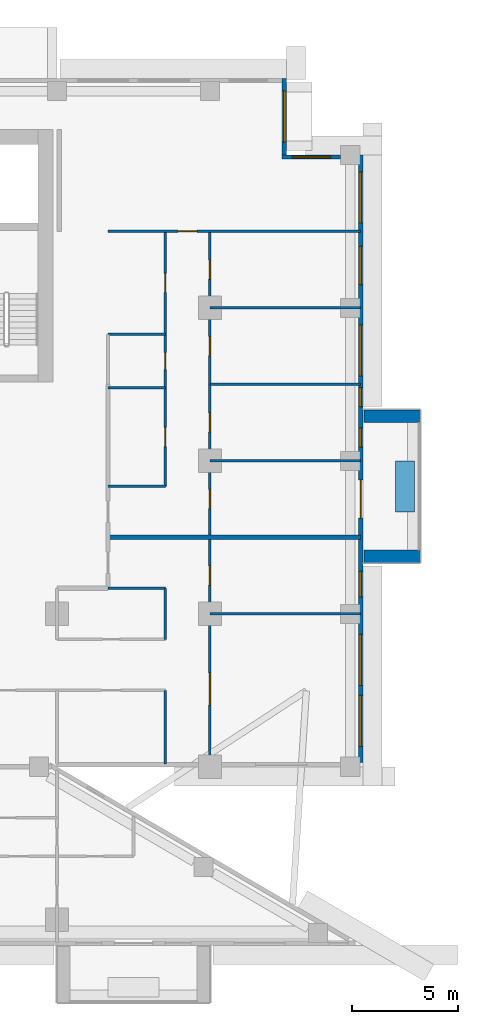
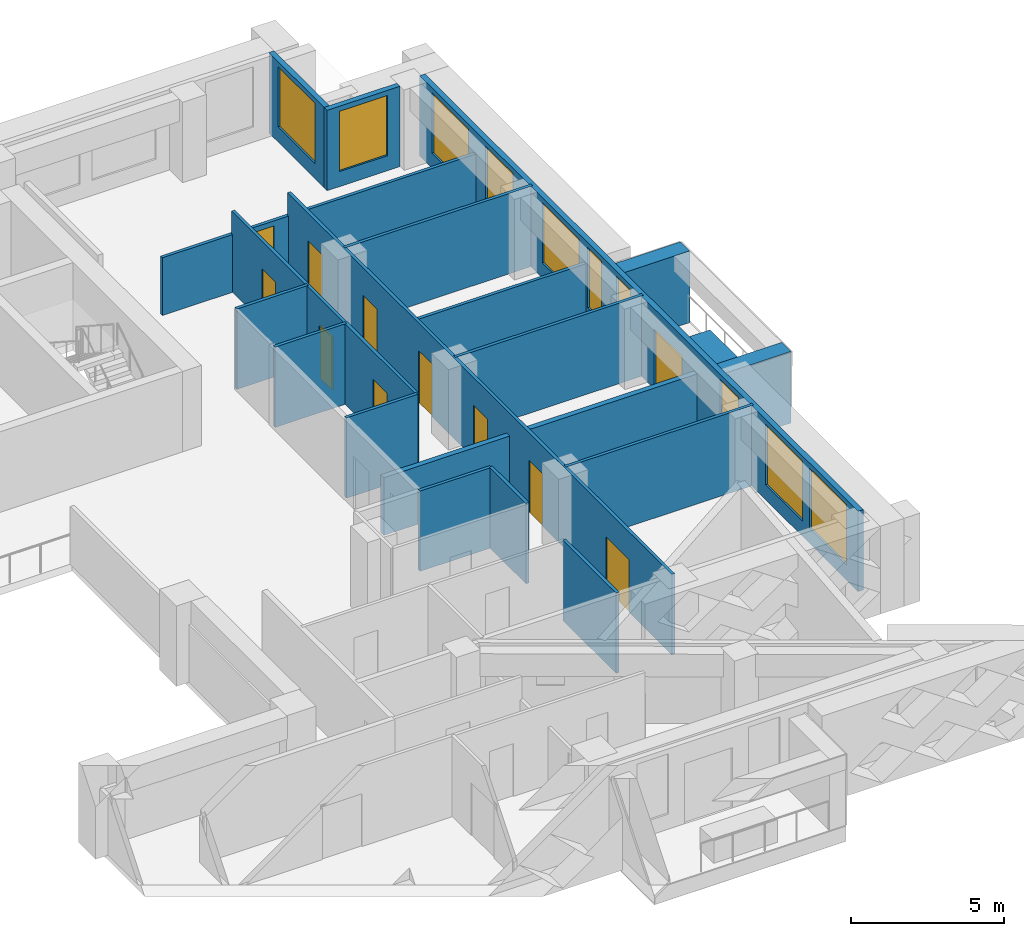
# One storey, part 12 of 20: 20 walls, 11 doors, 10 windows, 21 openings.
"""IFC4 building model written with IfcOpenShell, lengths in metres."""

from ifc_helpers import new_model, si_unit, direction, frame, frame_2d, origin, place, context, subcontext, project, spatial, rectangle, extrude, material, layer, layer_set, type_object, element, fill, save


model = new_model("IFC4")

# Units and contexts
model_context = context("Model", 3, precision=1e-05, world=origin(), true_north=direction((0.0, 1.0)))
body_context = subcontext(model_context, "Body", "Model", "MODEL_VIEW")
ifc_project = project(units=[si_unit("LENGTHUNIT", "METRE"), si_unit("AREAUNIT", "SQUARE_METRE"), si_unit("VOLUMEUNIT", "CUBIC_METRE"), si_unit("PLANEANGLEUNIT", "RADIAN"), si_unit("MASSUNIT", "GRAM", prefix="KILO")], contexts=[model_context])

# Site, building, storey
site_placement = place(None, origin())
site = spatial("IfcSite", under=ifc_project, at=site_placement, CompositionType="ELEMENT")
building_placement = place(site_placement, origin())
building = spatial("IfcBuilding", under=site, at=building_placement, Name="Saffron Iwan Residences", CompositionType="ELEMENT")
storey_placement = place(building_placement, frame((0.0, 0.0, 127.0)))
storey = spatial("IfcBuildingStorey", under=building, at=storey_placement, Name="L33", CompositionType="ELEMENT", Elevation=127.0)

# Walls
ifc_material_1 = material(Name="Concrete C50/60 white painted", Category="concrete")
ifc_layer_1 = layer(ifc_material_1, 0.60009765625)
ifc_layer_set_1 = layer_set([ifc_layer_1], Name="Concrete C50/60 white painted")
wall_type_1 = type_object("IfcWallType", Name="BALCONY FIN 600", PredefinedType="SOLIDWALL", material=ifc_layer_set_1)
for number, where, z_axis, x_axis, name in (
    (1, (86.449951171875, 57.89990234375, 0.0), (0.0, 0.0, 1.0), (1.0, 0.0, 0.0), "Balcony fin L33 F2-0a"),
    (2, (86.449951171875, 64.5, 0.0), (0.0, 0.0, 1.0), (1.0, 0.0, 0.0), "Balcony fin L33 F2-0b"),
):
    element("IfcWall", number, at=place(storey_placement, frame(where, z_axis=z_axis, x_axis=x_axis)), inside=storey, type_object=wall_type_1, Name=name, PredefinedType="SOLIDWALL", context=body_context, shape_type="SweptSolid", body=[
        extrude(rectangle(XDim=2.650146484375, YDim=0.60009765625, at=frame_2d((1.3251953125, 0.0))), origin(), (0.0, 0.0, 1.0), 2.85009765625),
    ])
ifc_material_2 = material(Name="Concrete C35/45 white painted", Category="concrete")
ifc_layer_2 = layer(ifc_material_2, 0.14990234375)
ifc_layer_set_2 = layer_set([ifc_layer_2], Name="Concrete C35/45 white painted")
wall_type_2 = type_object("IfcWallType", Name="BALCONY PLANTER", PredefinedType="SOLIDWALL", material=ifc_layer_set_2)
wall_1_placement = place(storey_placement, frame((88.375, 60.0, 0.0), z_axis=(0.0, 0.0, 1.0), x_axis=(0.0, 1.0, 0.0)))
element("IfcWall", 3, at=wall_1_placement, inside=storey, type_object=wall_type_2, Name="PLANTER L33 F2-0", PredefinedType="SOLIDWALL", context=body_context, shape_type="SweptSolid", body=[
    extrude(rectangle(XDim=2.39990234375, YDim=0.89990234375, at=frame_2d((1.199951171875, 0.0))), origin(), (0.0, 0.0, 1.0), 0.89990234375),
])

# Wall, openings, door, windows
ifc_material_3 = material(Name="Concrete C40/50", Category="concrete")
ifc_layer_3 = layer(ifc_material_3, 0.199951171875)
ifc_layer_set_3 = layer_set([ifc_layer_3], Name="Concrete C40/50")
wall_type_3 = type_object("IfcWallType", Name="EXTERNAL WALL 200", PredefinedType="SOLIDWALL", material=ifc_layer_set_3)
wall_2_placement = place(storey_placement, frame((86.300048828125, 48.199951171875, 0.0), z_axis=(0.0, 0.0, 1.0), x_axis=(0.0, 1.0, 0.0)))
wall_2 = element("IfcWall", 4, at=wall_2_placement, inside=storey, type_object=wall_type_3, Name="External wall L33 F2.0", PredefinedType="SOLIDWALL", context=body_context, shape_type="SweptSolid", body=[
    extrude(rectangle(XDim=28.60009765625, YDim=0.199951171875, at=frame_2d((14.300048828125, 0.0))), origin(), (0.0, 0.0, 1.0), 3.199951171875),
])
opening_1_placement = place(wall_2_placement, frame((11.5, 0.0, 0.0)))
opening_1 = element("IfcOpeningElement", 5, at=opening_1_placement, cuts=wall_2, Name="Opening BD1", PredefinedType="OPENING", context=body_context, shape_type="SweptSolid", body=[
    extrude(rectangle(XDim=1.800048828125, YDim=2.39990234375, at=frame_2d((0.89990234375, 1.199951171875))), frame((0.0, 0.10986328125, 0.0), z_axis=(0.0, -1.0, 0.0), x_axis=(1.0, 0.0, 0.0)), (0.0, 0.0, 1.0), 0.219970703125),
])
opening_2_placement = place(wall_2_placement, frame((0.7666015625, 0.0, 0.60009765625)))
opening_2 = element("IfcOpeningElement", 6, at=opening_2_placement, cuts=wall_2, Name="Opening W1", PredefinedType="OPENING", context=body_context, shape_type="SweptSolid", body=[
    extrude(rectangle(XDim=2.39990234375, YDim=2.39990234375, at=frame_2d((1.199951171875, 1.199951171875))), frame((0.0, 0.10986328125, 0.0), z_axis=(0.0, -1.0, 0.0), x_axis=(1.0, 0.0, 0.0)), (0.0, 0.0, 1.0), 0.219970703125),
])
opening_3_placement = place(wall_2_placement, frame((3.63330078125, 0.0, 0.60009765625)))
opening_3 = element("IfcOpeningElement", 7, at=opening_3_placement, cuts=wall_2, Name="Opening W1", PredefinedType="OPENING", context=body_context, shape_type="SweptSolid", body=[
    extrude(rectangle(XDim=2.39990234375, YDim=2.39990234375, at=frame_2d((1.199951171875, 1.199951171875))), frame((0.0, 0.10986328125, 0.0), z_axis=(0.0, -1.0, 0.0), x_axis=(1.0, 0.0, 0.0)), (0.0, 0.0, 1.0), 0.219970703125),
])
opening_4_placement = place(wall_2_placement, frame((7.800048828125, 0.0, 0.60009765625)))
opening_4 = element("IfcOpeningElement", 8, at=opening_4_placement, cuts=wall_2, Name="Opening W3", PredefinedType="OPENING", context=body_context, shape_type="SweptSolid", body=[
    extrude(rectangle(XDim=1.199951171875, YDim=2.39990234375, at=frame_2d((0.60009765625, 1.199951171875))), frame((0.0, 0.10986328125, 0.0), z_axis=(0.0, -1.0, 0.0), x_axis=(1.0, 0.0, 0.0)), (0.0, 0.0, 1.0), 0.219970703125),
])
opening_5_placement = place(wall_2_placement, frame((14.85009765625, 0.0, 0.60009765625)))
opening_5 = element("IfcOpeningElement", 9, at=opening_5_placement, cuts=wall_2, Name="Opening W10", PredefinedType="OPENING", context=body_context, shape_type="SweptSolid", body=[
    extrude(rectangle(XDim=0.89990234375, YDim=2.39990234375, at=frame_2d((0.449951171875, 1.199951171875))), frame((0.0, 0.10986328125, 0.0), z_axis=(0.0, -1.0, 0.0), x_axis=(1.0, 0.0, 0.0)), (0.0, 0.0, 1.0), 0.219970703125),
])
opening_6_placement = place(wall_2_placement, frame((16.75, 0.0, 0.60009765625)))
opening_6 = element("IfcOpeningElement", 10, at=opening_6_placement, cuts=wall_2, Name="Opening W10", PredefinedType="OPENING", context=body_context, shape_type="SweptSolid", body=[
    extrude(rectangle(XDim=0.89990234375, YDim=2.39990234375, at=frame_2d((0.449951171875, 1.199951171875))), frame((0.0, 0.10986328125, 0.0), z_axis=(0.0, -1.0, 0.0), x_axis=(1.0, 0.0, 0.0)), (0.0, 0.0, 1.0), 0.219970703125),
])
opening_7_placement = place(wall_2_placement, frame((18.199951171875, 0.0, 0.60009765625)))
opening_7 = element("IfcOpeningElement", 11, at=opening_7_placement, cuts=wall_2, Name="Opening W1", PredefinedType="OPENING", context=body_context, shape_type="SweptSolid", body=[
    extrude(rectangle(XDim=2.39990234375, YDim=2.39990234375, at=frame_2d((1.199951171875, 1.199951171875))), frame((0.0, 0.10986328125, 0.0), z_axis=(0.0, -1.0, 0.0), x_axis=(1.0, 0.0, 0.0)), (0.0, 0.0, 1.0), 0.219970703125),
])
opening_8_placement = place(wall_2_placement, frame((22.5, 0.0, 0.60009765625)))
opening_8 = element("IfcOpeningElement", 12, at=opening_8_placement, cuts=wall_2, Name="Opening W8", PredefinedType="OPENING", context=body_context, shape_type="SweptSolid", body=[
    extrude(rectangle(XDim=1.800048828125, YDim=2.39990234375, at=frame_2d((0.89990234375, 1.199951171875))), frame((0.0, 0.10986328125, 0.0), z_axis=(0.0, -1.0, 0.0), x_axis=(1.0, 0.0, 0.0)), (0.0, 0.0, 1.0), 0.219970703125),
])
opening_9_placement = place(wall_2_placement, frame((25.39990234375, 0.0, 0.60009765625)))
opening_9 = element("IfcOpeningElement", 13, at=opening_9_placement, cuts=wall_2, Name="Opening W1", PredefinedType="OPENING", context=body_context, shape_type="SweptSolid", body=[
    extrude(rectangle(XDim=2.39990234375, YDim=2.39990234375, at=frame_2d((1.199951171875, 1.199951171875))), frame((0.0, 0.10986328125, 0.0), z_axis=(0.0, -1.0, 0.0), x_axis=(1.0, 0.0, 0.0)), (0.0, 0.0, 1.0), 0.219970703125),
])
ifc_material_4 = material(Name="Clear glass, laminated double glazed", Category="glass")
door_type_1 = type_object("IfcDoorType", Name="BALCONY DOOR 1800 x 2400", OperationType="DOUBLE_DOOR_SLIDING", PredefinedType="DOOR", material=ifc_material_4)
door_1_placement = place(opening_1_placement, origin())
door_1 = element("IfcDoor", 14, at=door_1_placement, inside=storey, type_object=door_type_1, Name="Balcony door L33 F2.0", OperationType="DOUBLE_DOOR_SLIDING", OverallHeight=2.39990234375, OverallWidth=1.800048828125, PredefinedType="DOOR", context=body_context, shape_type="SweptSolid", body=[
    extrude(rectangle(XDim=1.800048828125, YDim=2.39990234375, at=frame_2d((0.89990234375, 1.199951171875))), frame((0.0, 0.02490234375, 0.0), z_axis=(0.0, -1.0, 0.0), x_axis=(1.0, 0.0, 0.0)), (0.0, 0.0, 1.0), 0.050048828125),
])
fill(opening_1, door_1)
window_type_1 = type_object("IfcWindowType", Name="WINDOW 1200 x 2400", PartitioningType="SINGLE_PANEL", PredefinedType="WINDOW", material=ifc_material_4)
window_1_placement = place(opening_4_placement, origin())
window_1 = element("IfcWindow", 15, at=window_1_placement, inside=storey, type_object=window_type_1, Name="Window L33 F2.3", OverallHeight=2.39990234375, OverallWidth=1.199951171875, PartitioningType="SINGLE_PANEL", PredefinedType="WINDOW", context=body_context, shape_type="SweptSolid", body=[
    extrude(rectangle(XDim=1.199951171875, YDim=2.39990234375, at=frame_2d((0.60009765625, 1.199951171875))), frame((0.0, 0.030029296875, 0.0), z_axis=(0.0, -1.0, 0.0), x_axis=(1.0, 0.0, 0.0)), (0.0, 0.0, 1.0), 0.06005859375),
])
fill(opening_4, window_1)
window_type_2 = type_object("IfcWindowType", Name="WINDOW 1800 x 2400", PartitioningType="DOUBLE_PANEL_VERTICAL", PredefinedType="WINDOW", material=ifc_material_4)
window_2_placement = place(opening_8_placement, origin())
window_2 = element("IfcWindow", 16, at=window_2_placement, inside=storey, type_object=window_type_2, Name="Window L33 F2.7", OverallHeight=2.39990234375, OverallWidth=1.800048828125, PartitioningType="DOUBLE_PANEL_VERTICAL", PredefinedType="WINDOW", context=body_context, shape_type="SweptSolid", body=[
    extrude(rectangle(XDim=1.800048828125, YDim=2.39990234375, at=frame_2d((0.89990234375, 1.199951171875))), frame((0.0, 0.030029296875, 0.0), z_axis=(0.0, -1.0, 0.0), x_axis=(1.0, 0.0, 0.0)), (0.0, 0.0, 1.0), 0.06005859375),
])
fill(opening_8, window_2)
window_type_3 = type_object("IfcWindowType", Name="WINDOW 2400 x 2400", PartitioningType="DOUBLE_PANEL_VERTICAL", PredefinedType="WINDOW", material=ifc_material_4)
window_3_placement = place(opening_2_placement, origin())
window_3 = element("IfcWindow", 17, at=window_3_placement, inside=storey, type_object=window_type_3, Name="Window L33 F2.1", OverallHeight=2.39990234375, OverallWidth=2.39990234375, PartitioningType="DOUBLE_PANEL_VERTICAL", PredefinedType="WINDOW", context=body_context, shape_type="SweptSolid", body=[
    extrude(rectangle(XDim=2.39990234375, YDim=2.39990234375, at=frame_2d((1.199951171875, 1.199951171875))), frame((0.0, 0.030029296875, 0.0), z_axis=(0.0, -1.0, 0.0), x_axis=(1.0, 0.0, 0.0)), (0.0, 0.0, 1.0), 0.06005859375),
])
fill(opening_2, window_3)
window_4_placement = place(opening_3_placement, origin())
window_4 = element("IfcWindow", 18, at=window_4_placement, inside=storey, type_object=window_type_3, Name="Window L33 F2.2", OverallHeight=2.39990234375, OverallWidth=2.39990234375, PartitioningType="DOUBLE_PANEL_VERTICAL", PredefinedType="WINDOW", context=body_context, shape_type="SweptSolid", body=[
    extrude(rectangle(XDim=2.39990234375, YDim=2.39990234375, at=frame_2d((1.199951171875, 1.199951171875))), frame((0.0, 0.030029296875, 0.0), z_axis=(0.0, -1.0, 0.0), x_axis=(1.0, 0.0, 0.0)), (0.0, 0.0, 1.0), 0.06005859375),
])
fill(opening_3, window_4)
window_5_placement = place(opening_7_placement, origin())
window_5 = element("IfcWindow", 19, at=window_5_placement, inside=storey, type_object=window_type_3, Name="Window L33 F2.6", OverallHeight=2.39990234375, OverallWidth=2.39990234375, PartitioningType="DOUBLE_PANEL_VERTICAL", PredefinedType="WINDOW", context=body_context, shape_type="SweptSolid", body=[
    extrude(rectangle(XDim=2.39990234375, YDim=2.39990234375, at=frame_2d((1.199951171875, 1.199951171875))), frame((0.0, 0.030029296875, 0.0), z_axis=(0.0, -1.0, 0.0), x_axis=(1.0, 0.0, 0.0)), (0.0, 0.0, 1.0), 0.06005859375),
])
fill(opening_7, window_5)
window_6_placement = place(opening_9_placement, origin())
window_6 = element("IfcWindow", 20, at=window_6_placement, inside=storey, type_object=window_type_3, Name="Window L33 F2.8", OverallHeight=2.39990234375, OverallWidth=2.39990234375, PartitioningType="DOUBLE_PANEL_VERTICAL", PredefinedType="WINDOW", context=body_context, shape_type="SweptSolid", body=[
    extrude(rectangle(XDim=2.39990234375, YDim=2.39990234375, at=frame_2d((1.199951171875, 1.199951171875))), frame((0.0, 0.030029296875, 0.0), z_axis=(0.0, -1.0, 0.0), x_axis=(1.0, 0.0, 0.0)), (0.0, 0.0, 1.0), 0.06005859375),
])
fill(opening_9, window_6)
window_type_4 = type_object("IfcWindowType", Name="WINDOW 900 x 2400", PartitioningType="SINGLE_PANEL", PredefinedType="WINDOW", material=ifc_material_4)
window_7_placement = place(opening_5_placement, origin())
window_7 = element("IfcWindow", 21, at=window_7_placement, inside=storey, type_object=window_type_4, Name="Window L33 F2.4", OverallHeight=2.39990234375, OverallWidth=0.89990234375, PartitioningType="SINGLE_PANEL", PredefinedType="WINDOW", context=body_context, shape_type="SweptSolid", body=[
    extrude(rectangle(XDim=0.89990234375, YDim=2.39990234375, at=frame_2d((0.449951171875, 1.199951171875))), frame((0.0, 0.030029296875, 0.0), z_axis=(0.0, -1.0, 0.0), x_axis=(1.0, 0.0, 0.0)), (0.0, 0.0, 1.0), 0.06005859375),
])
fill(opening_5, window_7)
window_8_placement = place(opening_6_placement, origin())
window_8 = element("IfcWindow", 22, at=window_8_placement, inside=storey, type_object=window_type_4, Name="Window L33 F2.5", OverallHeight=2.39990234375, OverallWidth=0.89990234375, PartitioningType="SINGLE_PANEL", PredefinedType="WINDOW", context=body_context, shape_type="SweptSolid", body=[
    extrude(rectangle(XDim=0.89990234375, YDim=2.39990234375, at=frame_2d((0.449951171875, 1.199951171875))), frame((0.0, 0.030029296875, 0.0), z_axis=(0.0, -1.0, 0.0), x_axis=(1.0, 0.0, 0.0)), (0.0, 0.0, 1.0), 0.06005859375),
])
fill(opening_6, window_8)

# Wall, opening, window
wall_3_placement = place(storey_placement, frame((85.35009765625, 76.699951171875, 0.0), z_axis=(0.0, 0.0, 1.0), x_axis=(-1.0, 0.0, 0.0)))
wall_3 = element("IfcWall", 23, at=wall_3_placement, inside=storey, type_object=wall_type_3, Name="External wall L33 F3.0", PredefinedType="SOLIDWALL", context=body_context, shape_type="SweptSolid", body=[
    extrude(rectangle(XDim=2.75, YDim=0.199951171875, at=frame_2d((1.375, 0.0))), origin(), (0.0, 0.0, 1.0), 3.199951171875),
])
opening_10_placement = place(wall_3_placement, frame((0.47509765625, 0.0, 0.60009765625)))
opening_10 = element("IfcOpeningElement", 24, at=opening_10_placement, cuts=wall_3, Name="Opening W8", PredefinedType="OPENING", context=body_context, shape_type="SweptSolid", body=[
    extrude(rectangle(XDim=1.800048828125, YDim=2.39990234375, at=frame_2d((0.89990234375, 1.199951171875))), frame((0.0, 0.10986328125, 0.0), z_axis=(0.0, -1.0, 0.0), x_axis=(1.0, 0.0, 0.0)), (0.0, 0.0, 1.0), 0.219970703125),
])
window_9_placement = place(opening_10_placement, origin())
window_9 = element("IfcWindow", 25, at=window_9_placement, inside=storey, type_object=window_type_2, Name="Window L33 F3.0", OverallHeight=2.39990234375, OverallWidth=1.800048828125, PartitioningType="DOUBLE_PANEL_VERTICAL", PredefinedType="WINDOW", context=body_context, shape_type="SweptSolid", body=[
    extrude(rectangle(XDim=1.800048828125, YDim=2.39990234375, at=frame_2d((0.89990234375, 1.199951171875))), frame((0.0, 0.030029296875, 0.0), z_axis=(0.0, -1.0, 0.0), x_axis=(1.0, 0.0, 0.0)), (0.0, 0.0, 1.0), 0.06005859375),
])
fill(opening_10, window_9)

wall_4_placement = place(storey_placement, frame((82.699951171875, 76.800048828125, 0.0), z_axis=(0.0, 0.0, 1.0), x_axis=(0.0, 1.0, 0.0)))
wall_4 = element("IfcWall", 26, at=wall_4_placement, inside=storey, type_object=wall_type_3, Name="External wall L33 F4.0", PredefinedType="SOLIDWALL", context=body_context, shape_type="SweptSolid", body=[
    extrude(rectangle(XDim=3.599853515625, YDim=0.199951171875, at=frame_2d((1.7998046875, 0.0))), origin(), (0.0, 0.0, 1.0), 3.199951171875),
])
opening_11_placement = place(wall_4_placement, frame((0.60009765625, 0.0, 0.60009765625)))
opening_11 = element("IfcOpeningElement", 27, at=opening_11_placement, cuts=wall_4, Name="Opening W1", PredefinedType="OPENING", context=body_context, shape_type="SweptSolid", body=[
    extrude(rectangle(XDim=2.39990234375, YDim=2.39990234375, at=frame_2d((1.199951171875, 1.199951171875))), frame((0.0, 0.10986328125, 0.0), z_axis=(0.0, -1.0, 0.0), x_axis=(1.0, 0.0, 0.0)), (0.0, 0.0, 1.0), 0.219970703125),
])
window_10_placement = place(opening_11_placement, origin())
window_10 = element("IfcWindow", 28, at=window_10_placement, inside=storey, type_object=window_type_3, Name="Window L33 F4.0", OverallHeight=2.39990234375, OverallWidth=2.39990234375, PartitioningType="DOUBLE_PANEL_VERTICAL", PredefinedType="WINDOW", context=body_context, shape_type="SweptSolid", body=[
    extrude(rectangle(XDim=2.39990234375, YDim=2.39990234375, at=frame_2d((1.199951171875, 1.199951171875))), frame((0.0, 0.030029296875, 0.0), z_axis=(0.0, -1.0, 0.0), x_axis=(1.0, 0.0, 0.0)), (0.0, 0.0, 1.0), 0.06005859375),
])
fill(opening_11, window_10)

# Walls
ifc_material_5 = material(Name="Fire-rated gypsum board wall")
ifc_layer_4 = layer(ifc_material_5, 0.199951171875)
ifc_layer_set_4 = layer_set([ifc_layer_4], Name="Fire-rated gypsum board wall")
wall_type_4 = type_object("IfcWallType", Name="Flat demising wall 200", PredefinedType="SOLIDWALL", material=ifc_layer_set_4)
wall_5_placement = place(storey_placement, frame((74.39990234375, 58.800048828125, 0.0), z_axis=(0.0, 0.0, 1.0), x_axis=(1.0, 0.0, 0.0)))
element("IfcWall", 29, at=wall_5_placement, inside=storey, type_object=wall_type_4, Name="W-L33-DEMISE-h58.8-74.4", PredefinedType="SOLIDWALL", context=body_context, shape_type="SweptSolid", body=[
    extrude(rectangle(XDim=11.875, YDim=0.199951171875, at=frame_2d((5.9375, 0.0))), origin(), (0.0, 0.0, 1.0), 2.300048828125),
])
ifc_material_6 = material(Name="Gypsum board partition")
ifc_layer_5 = layer(ifc_material_6, 0.1201171875)
ifc_layer_set_5 = layer_set([ifc_layer_5], Name="Gypsum board partition")
wall_type_5 = type_object("IfcWallType", Name="Flat partition 120", PredefinedType="PARTITIONING", material=ifc_layer_set_5)
wall_6_placement = place(storey_placement, frame((79.199951171875, 55.199951171875, 0.0), z_axis=(0.0, 0.0, 1.0), x_axis=(1.0, 0.0, 0.0)))
element("IfcWall", 30, at=wall_6_placement, inside=storey, type_object=wall_type_5, Name="W-L33-PART-h55.2-79.2", PredefinedType="PARTITIONING", context=body_context, shape_type="SweptSolid", body=[
    extrude(rectangle(XDim=7.074951171875, YDim=0.1201171875, at=frame_2d((3.53759765625, 0.0))), origin(), (0.0, 0.0, 1.0), 3.199951171875),
])
for number, where, z_axis, x_axis, name in (
    (31, (74.39990234375, 56.39990234375, 0.0), (0.0, 0.0, 1.0), (1.0, 0.0, 0.0), "W-L33-PART-h56.4-74.4"),
    (32, (74.39990234375, 61.199951171875, 0.0), (0.0, 0.0, 1.0), (1.0, 0.0, 0.0), "W-L33-PART-h61.2-74.4"),
):
    element("IfcWall", number, at=place(storey_placement, frame(where, z_axis=z_axis, x_axis=x_axis)), inside=storey, type_object=wall_type_5, Name=name, PredefinedType="PARTITIONING", context=body_context, shape_type="SweptSolid", body=[
        extrude(rectangle(XDim=2.7001953125, YDim=0.1201171875, at=frame_2d((1.35009765625, 0.0))), origin(), (0.0, 0.0, 1.0), 3.199951171875),
    ])
wall_7_placement = place(storey_placement, frame((79.199951171875, 62.39990234375, 0.0), z_axis=(0.0, 0.0, 1.0), x_axis=(1.0, 0.0, 0.0)))
element("IfcWall", 33, at=wall_7_placement, inside=storey, type_object=wall_type_5, Name="W-L33-PART-h62.4-79.2", PredefinedType="PARTITIONING", context=body_context, shape_type="SweptSolid", body=[
    extrude(rectangle(XDim=7.074951171875, YDim=0.1201171875, at=frame_2d((3.53759765625, 0.0))), origin(), (0.0, 0.0, 1.0), 3.199951171875),
])
wall_8_placement = place(storey_placement, frame((74.39990234375, 65.85009765625, 0.0), z_axis=(0.0, 0.0, 1.0), x_axis=(1.0, 0.0, 0.0)))
element("IfcWall", 34, at=wall_8_placement, inside=storey, type_object=wall_type_5, Name="W-L33-PART-h65.85-74.4", PredefinedType="PARTITIONING", context=body_context, shape_type="SweptSolid", body=[
    extrude(rectangle(XDim=2.7001953125, YDim=0.1201171875, at=frame_2d((1.35009765625, 0.0))), origin(), (0.0, 0.0, 1.0), 3.199951171875),
])
wall_9_placement = place(storey_placement, frame((79.199951171875, 66.0, 0.0), z_axis=(0.0, 0.0, 1.0), x_axis=(1.0, 0.0, 0.0)))
element("IfcWall", 35, at=wall_9_placement, inside=storey, type_object=wall_type_5, Name="W-L33-PART-h66-79.2", PredefinedType="PARTITIONING", context=body_context, shape_type="SweptSolid", body=[
    extrude(rectangle(XDim=7.074951171875, YDim=0.1201171875, at=frame_2d((3.53759765625, 0.0))), origin(), (0.0, 0.0, 1.0), 2.300048828125),
])
wall_10_placement = place(storey_placement, frame((74.39990234375, 68.35009765625, 0.0), z_axis=(0.0, 0.0, 1.0), x_axis=(1.0, 0.0, 0.0)))
element("IfcWall", 36, at=wall_10_placement, inside=storey, type_object=wall_type_5, Name="W-L33-PART-h68.35-74.4", PredefinedType="PARTITIONING", context=body_context, shape_type="SweptSolid", body=[
    extrude(rectangle(XDim=2.7001953125, YDim=0.1201171875, at=frame_2d((1.35009765625, 0.0))), origin(), (0.0, 0.0, 1.0), 3.199951171875),
])
wall_11_placement = place(storey_placement, frame((79.199951171875, 69.60009765625, 0.0), z_axis=(0.0, 0.0, 1.0), x_axis=(1.0, 0.0, 0.0)))
element("IfcWall", 37, at=wall_11_placement, inside=storey, type_object=wall_type_5, Name="W-L33-PART-h69.6-79.2", PredefinedType="PARTITIONING", context=body_context, shape_type="SweptSolid", body=[
    extrude(rectangle(XDim=7.074951171875, YDim=0.1201171875, at=frame_2d((3.53759765625, 0.0))), origin(), (0.0, 0.0, 1.0), 3.199951171875),
])

# Wall, opening, door
wall_12_placement = place(storey_placement, frame((74.39990234375, 73.199951171875, 0.0), z_axis=(0.0, 0.0, 1.0), x_axis=(1.0, 0.0, 0.0)))
wall_12 = element("IfcWall", 38, at=wall_12_placement, inside=storey, type_object=wall_type_5, Name="W-L33-PART-h73.2-74.4", PredefinedType="PARTITIONING", context=body_context, shape_type="SweptSolid", body=[
    extrude(rectangle(XDim=11.875, YDim=0.1201171875, at=frame_2d((5.9375, 0.0))), origin(), (0.0, 0.0, 1.0), 2.300048828125),
])
opening_12_placement = place(wall_12_placement, frame((3.300048828125, 0.0, 0.0)))
opening_12 = element("IfcOpeningElement", 39, at=opening_12_placement, cuts=wall_12, Name="Opening FD2", PredefinedType="OPENING", context=body_context, shape_type="SweptSolid", body=[
    extrude(rectangle(XDim=0.89990234375, YDim=2.10009765625, at=frame_2d((0.449951171875, 1.050048828125))), frame((0.0, 0.070068359375, 0.0), z_axis=(0.0, -1.0, 0.0), x_axis=(1.0, 0.0, 0.0)), (0.0, 0.0, 1.0), 0.14013671875),
])
ifc_material_7 = material(Name="Timber door", Category="wood")
door_type_2 = type_object("IfcDoorType", Name="Flat door 900", OperationType="NOTDEFINED", PredefinedType="DOOR", material=ifc_material_7)
door_2_placement = place(opening_12_placement, origin())
door_2 = element("IfcDoor", 40, at=door_2_placement, inside=storey, type_object=door_type_2, Name="Door L33-034", OperationType="SINGLE_SWING_RIGHT", OverallHeight=2.10009765625, OverallWidth=0.89990234375, PredefinedType="DOOR", context=body_context, shape_type="SweptSolid", body=[
    extrude(rectangle(XDim=0.89990234375, YDim=2.10009765625, at=frame_2d((0.449951171875, 1.050048828125))), frame((0.0, 0.02490234375, 0.0), z_axis=(0.0, -1.0, 0.0), x_axis=(1.0, 0.0, 0.0)), (0.0, 0.0, 1.0), 0.050048828125),
])
fill(opening_12, door_2)

# Walls
wall_13_placement = place(storey_placement, frame((77.10009765625, 48.125, 0.0), z_axis=(0.0, 0.0, 1.0), x_axis=(0.0, 1.0, 0.0)))
element("IfcWall", 41, at=wall_13_placement, inside=storey, type_object=wall_type_5, Name="W-L33-PART-v77.1-48.125", PredefinedType="PARTITIONING", context=body_context, shape_type="SweptSolid", body=[
    extrude(rectangle(XDim=3.47509765625, YDim=0.1201171875, at=frame_2d((1.737548828125, 0.0))), origin(), (0.0, 0.0, 1.0), 3.199951171875),
])
wall_14_placement = place(storey_placement, frame((77.10009765625, 54.0, 0.0), z_axis=(0.0, 0.0, 1.0), x_axis=(0.0, 1.0, 0.0)))
element("IfcWall", 42, at=wall_14_placement, inside=storey, type_object=wall_type_5, Name="W-L33-PART-v77.1-54", PredefinedType="PARTITIONING", context=body_context, shape_type="SweptSolid", body=[
    extrude(rectangle(XDim=2.39990234375, YDim=0.1201171875, at=frame_2d((1.199951171875, 0.0))), origin(), (0.0, 0.0, 1.0), 3.199951171875),
])

# Wall, openings, doors
wall_15_placement = place(storey_placement, frame((77.10009765625, 61.199951171875, 0.0), z_axis=(0.0, 0.0, 1.0), x_axis=(0.0, 1.0, 0.0)))
wall_15 = element("IfcWall", 43, at=wall_15_placement, inside=storey, type_object=wall_type_5, Name="W-L33-PART-v77.1-61.2", PredefinedType="PARTITIONING", context=body_context, shape_type="SweptSolid", body=[
    extrude(rectangle(XDim=12.0, YDim=0.1201171875, at=frame_2d((6.0, 0.0))), origin(), (0.0, 0.0, 1.0), 3.199951171875),
])
opening_13_placement = place(wall_15_placement, frame((1.875, 0.0, 0.0)))
opening_13 = element("IfcOpeningElement", 44, at=opening_13_placement, cuts=wall_15, Name="Opening FD2", PredefinedType="OPENING", context=body_context, shape_type="SweptSolid", body=[
    extrude(rectangle(XDim=0.89990234375, YDim=2.10009765625, at=frame_2d((0.449951171875, 1.050048828125))), frame((0.0, 0.070068359375, 0.0), z_axis=(0.0, -1.0, 0.0), x_axis=(1.0, 0.0, 0.0)), (0.0, 0.0, 1.0), 0.14013671875),
])
opening_14_placement = place(wall_15_placement, frame((5.5, 0.0, 0.0)))
opening_14 = element("IfcOpeningElement", 45, at=opening_14_placement, cuts=wall_15, Name="Opening FD3", PredefinedType="OPENING", context=body_context, shape_type="SweptSolid", body=[
    extrude(rectangle(XDim=0.800048828125, YDim=2.10009765625, at=frame_2d((0.39990234375, 1.050048828125))), frame((0.0, 0.070068359375, 0.0), z_axis=(0.0, -1.0, 0.0), x_axis=(1.0, 0.0, 0.0)), (0.0, 0.0, 1.0), 0.14013671875),
])
opening_15_placement = place(wall_15_placement, frame((9.125, 0.0, 0.0)))
opening_15 = element("IfcOpeningElement", 46, at=opening_15_placement, cuts=wall_15, Name="Opening FD2", PredefinedType="OPENING", context=body_context, shape_type="SweptSolid", body=[
    extrude(rectangle(XDim=0.89990234375, YDim=2.10009765625, at=frame_2d((0.449951171875, 1.050048828125))), frame((0.0, 0.070068359375, 0.0), z_axis=(0.0, -1.0, 0.0), x_axis=(1.0, 0.0, 0.0)), (0.0, 0.0, 1.0), 0.14013671875),
])
door_type_3 = type_object("IfcDoorType", Name="Bathroom door 800", OperationType="NOTDEFINED", PredefinedType="DOOR", material=ifc_material_7)
door_3_placement = place(opening_14_placement, origin())
door_3 = element("IfcDoor", 47, at=door_3_placement, inside=storey, type_object=door_type_3, Name="Door L33-036", OperationType="SINGLE_SWING_LEFT", OverallHeight=2.10009765625, OverallWidth=0.800048828125, PredefinedType="DOOR", context=body_context, shape_type="SweptSolid", body=[
    extrude(rectangle(XDim=0.800048828125, YDim=2.10009765625, at=frame_2d((0.39990234375, 1.050048828125))), frame((0.0, 0.02490234375, 0.0), z_axis=(0.0, -1.0, 0.0), x_axis=(1.0, 0.0, 0.0)), (0.0, 0.0, 1.0), 0.050048828125),
])
fill(opening_14, door_3)
door_4_placement = place(opening_13_placement, origin())
door_4 = element("IfcDoor", 48, at=door_4_placement, inside=storey, type_object=door_type_2, Name="Door L33-035", OperationType="SINGLE_SWING_LEFT", OverallHeight=2.10009765625, OverallWidth=0.89990234375, PredefinedType="DOOR", context=body_context, shape_type="SweptSolid", body=[
    extrude(rectangle(XDim=0.89990234375, YDim=2.10009765625, at=frame_2d((0.449951171875, 1.050048828125))), frame((0.0, 0.02490234375, 0.0), z_axis=(0.0, -1.0, 0.0), x_axis=(1.0, 0.0, 0.0)), (0.0, 0.0, 1.0), 0.050048828125),
])
fill(opening_13, door_4)
door_5_placement = place(opening_15_placement, origin())
door_5 = element("IfcDoor", 49, at=door_5_placement, inside=storey, type_object=door_type_2, Name="Door L33-037", OperationType="SINGLE_SWING_RIGHT", OverallHeight=2.10009765625, OverallWidth=0.89990234375, PredefinedType="DOOR", context=body_context, shape_type="SweptSolid", body=[
    extrude(rectangle(XDim=0.89990234375, YDim=2.10009765625, at=frame_2d((0.449951171875, 1.050048828125))), frame((0.0, 0.02490234375, 0.0), z_axis=(0.0, -1.0, 0.0), x_axis=(1.0, 0.0, 0.0)), (0.0, 0.0, 1.0), 0.050048828125),
])
fill(opening_15, door_5)

wall_16_placement = place(storey_placement, frame((79.199951171875, 48.125, 0.0), z_axis=(0.0, 0.0, 1.0), x_axis=(0.0, 1.0, 0.0)))
wall_16 = element("IfcWall", 50, at=wall_16_placement, inside=storey, type_object=wall_type_5, Name="W-L33-PART-v79.2-48.125", PredefinedType="PARTITIONING", context=body_context, shape_type="SweptSolid", body=[
    extrude(rectangle(XDim=25.074951171875, YDim=0.1201171875, at=frame_2d((12.53759765625, 0.0))), origin(), (0.0, 0.0, 1.0), 3.199951171875),
])
opening_16_placement = place(wall_16_placement, frame((2.78759765625, 0.0, 0.0)))
opening_16 = element("IfcOpeningElement", 51, at=opening_16_placement, cuts=wall_16, Name="Opening FD4", PredefinedType="OPENING", context=body_context, shape_type="SweptSolid", body=[
    extrude(rectangle(XDim=1.5, YDim=2.10009765625, at=frame_2d((0.75, 1.050048828125))), frame((0.0, 0.070068359375, 0.0), z_axis=(0.0, -1.0, 0.0), x_axis=(1.0, 0.0, 0.0)), (0.0, 0.0, 1.0), 0.14013671875),
])
opening_17_placement = place(wall_16_placement, frame((8.425048828125, 0.0, 0.0)))
opening_17 = element("IfcOpeningElement", 52, at=opening_17_placement, cuts=wall_16, Name="Opening FD2", PredefinedType="OPENING", context=body_context, shape_type="SweptSolid", body=[
    extrude(rectangle(XDim=0.89990234375, YDim=2.10009765625, at=frame_2d((0.449951171875, 1.050048828125))), frame((0.0, 0.070068359375, 0.0), z_axis=(0.0, -1.0, 0.0), x_axis=(1.0, 0.0, 0.0)), (0.0, 0.0, 1.0), 0.14013671875),
])
opening_18_placement = place(wall_16_placement, frame((12.02490234375, 0.0, 0.0)))
opening_18 = element("IfcOpeningElement", 53, at=opening_18_placement, cuts=wall_16, Name="Opening FD2", PredefinedType="OPENING", context=body_context, shape_type="SweptSolid", body=[
    extrude(rectangle(XDim=0.89990234375, YDim=2.10009765625, at=frame_2d((0.449951171875, 1.050048828125))), frame((0.0, 0.070068359375, 0.0), z_axis=(0.0, -1.0, 0.0), x_axis=(1.0, 0.0, 0.0)), (0.0, 0.0, 1.0), 0.14013671875),
])
opening_19_placement = place(wall_16_placement, frame((15.625, 0.0, 0.0)))
opening_19 = element("IfcOpeningElement", 54, at=opening_19_placement, cuts=wall_16, Name="Opening FD2", PredefinedType="OPENING", context=body_context, shape_type="SweptSolid", body=[
    extrude(rectangle(XDim=0.89990234375, YDim=2.10009765625, at=frame_2d((0.449951171875, 1.050048828125))), frame((0.0, 0.070068359375, 0.0), z_axis=(0.0, -1.0, 0.0), x_axis=(1.0, 0.0, 0.0)), (0.0, 0.0, 1.0), 0.14013671875),
])
opening_20_placement = place(wall_16_placement, frame((19.22509765625, 0.0, 0.0)))
opening_20 = element("IfcOpeningElement", 55, at=opening_20_placement, cuts=wall_16, Name="Opening FD2", PredefinedType="OPENING", context=body_context, shape_type="SweptSolid", body=[
    extrude(rectangle(XDim=0.89990234375, YDim=2.10009765625, at=frame_2d((0.449951171875, 1.050048828125))), frame((0.0, 0.070068359375, 0.0), z_axis=(0.0, -1.0, 0.0), x_axis=(1.0, 0.0, 0.0)), (0.0, 0.0, 1.0), 0.14013671875),
])
opening_21_placement = place(wall_16_placement, frame((22.824951171875, 0.0, 0.0)))
opening_21 = element("IfcOpeningElement", 56, at=opening_21_placement, cuts=wall_16, Name="Opening FD2", PredefinedType="OPENING", context=body_context, shape_type="SweptSolid", body=[
    extrude(rectangle(XDim=0.89990234375, YDim=2.10009765625, at=frame_2d((0.449951171875, 1.050048828125))), frame((0.0, 0.070068359375, 0.0), z_axis=(0.0, -1.0, 0.0), x_axis=(1.0, 0.0, 0.0)), (0.0, 0.0, 1.0), 0.14013671875),
])
door_type_4 = type_object("IfcDoorType", Name="Double door 1500", OperationType="NOTDEFINED", PredefinedType="DOOR", material=ifc_material_7)
door_6_placement = place(opening_16_placement, origin())
door_6 = element("IfcDoor", 57, at=door_6_placement, inside=storey, type_object=door_type_4, Name="Door L33-014", OperationType="SINGLE_SWING_LEFT", OverallHeight=2.10009765625, OverallWidth=1.5, PredefinedType="DOOR", context=body_context, shape_type="SweptSolid", body=[
    extrude(rectangle(XDim=1.5, YDim=2.10009765625, at=frame_2d((0.75, 1.050048828125))), frame((0.0, 0.02490234375, 0.0), z_axis=(0.0, -1.0, 0.0), x_axis=(1.0, 0.0, 0.0)), (0.0, 0.0, 1.0), 0.050048828125),
])
fill(opening_16, door_6)
door_7_placement = place(opening_17_placement, origin())
door_7 = element("IfcDoor", 58, at=door_7_placement, inside=storey, type_object=door_type_2, Name="Door L33-015", OperationType="SINGLE_SWING_LEFT", OverallHeight=2.10009765625, OverallWidth=0.89990234375, PredefinedType="DOOR", context=body_context, shape_type="SweptSolid", body=[
    extrude(rectangle(XDim=0.89990234375, YDim=2.10009765625, at=frame_2d((0.449951171875, 1.050048828125))), frame((0.0, 0.02490234375, 0.0), z_axis=(0.0, -1.0, 0.0), x_axis=(1.0, 0.0, 0.0)), (0.0, 0.0, 1.0), 0.050048828125),
])
fill(opening_17, door_7)
door_8_placement = place(opening_18_placement, origin())
door_8 = element("IfcDoor", 59, at=door_8_placement, inside=storey, type_object=door_type_2, Name="Door L33-030", OperationType="SINGLE_SWING_LEFT", OverallHeight=2.10009765625, OverallWidth=0.89990234375, PredefinedType="DOOR", context=body_context, shape_type="SweptSolid", body=[
    extrude(rectangle(XDim=0.89990234375, YDim=2.10009765625, at=frame_2d((0.449951171875, 1.050048828125))), frame((0.0, 0.02490234375, 0.0), z_axis=(0.0, -1.0, 0.0), x_axis=(1.0, 0.0, 0.0)), (0.0, 0.0, 1.0), 0.050048828125),
])
fill(opening_18, door_8)
door_9_placement = place(opening_19_placement, origin())
door_9 = element("IfcDoor", 60, at=door_9_placement, inside=storey, type_object=door_type_2, Name="Door L33-031", OperationType="SINGLE_SWING_RIGHT", OverallHeight=2.10009765625, OverallWidth=0.89990234375, PredefinedType="DOOR", context=body_context, shape_type="SweptSolid", body=[
    extrude(rectangle(XDim=0.89990234375, YDim=2.10009765625, at=frame_2d((0.449951171875, 1.050048828125))), frame((0.0, 0.02490234375, 0.0), z_axis=(0.0, -1.0, 0.0), x_axis=(1.0, 0.0, 0.0)), (0.0, 0.0, 1.0), 0.050048828125),
])
fill(opening_19, door_9)
door_10_placement = place(opening_20_placement, origin())
door_10 = element("IfcDoor", 61, at=door_10_placement, inside=storey, type_object=door_type_2, Name="Door L33-032", OperationType="SINGLE_SWING_LEFT", OverallHeight=2.10009765625, OverallWidth=0.89990234375, PredefinedType="DOOR", context=body_context, shape_type="SweptSolid", body=[
    extrude(rectangle(XDim=0.89990234375, YDim=2.10009765625, at=frame_2d((0.449951171875, 1.050048828125))), frame((0.0, 0.02490234375, 0.0), z_axis=(0.0, -1.0, 0.0), x_axis=(1.0, 0.0, 0.0)), (0.0, 0.0, 1.0), 0.050048828125),
])
fill(opening_20, door_10)
door_11_placement = place(opening_21_placement, origin())
door_11 = element("IfcDoor", 62, at=door_11_placement, inside=storey, type_object=door_type_2, Name="Door L33-033", OperationType="SINGLE_SWING_LEFT", OverallHeight=2.10009765625, OverallWidth=0.89990234375, PredefinedType="DOOR", context=body_context, shape_type="SweptSolid", body=[
    extrude(rectangle(XDim=0.89990234375, YDim=2.10009765625, at=frame_2d((0.449951171875, 1.050048828125))), frame((0.0, 0.02490234375, 0.0), z_axis=(0.0, -1.0, 0.0), x_axis=(1.0, 0.0, 0.0)), (0.0, 0.0, 1.0), 0.050048828125),
])
fill(opening_21, door_11)

save(model, "model.ifc")
